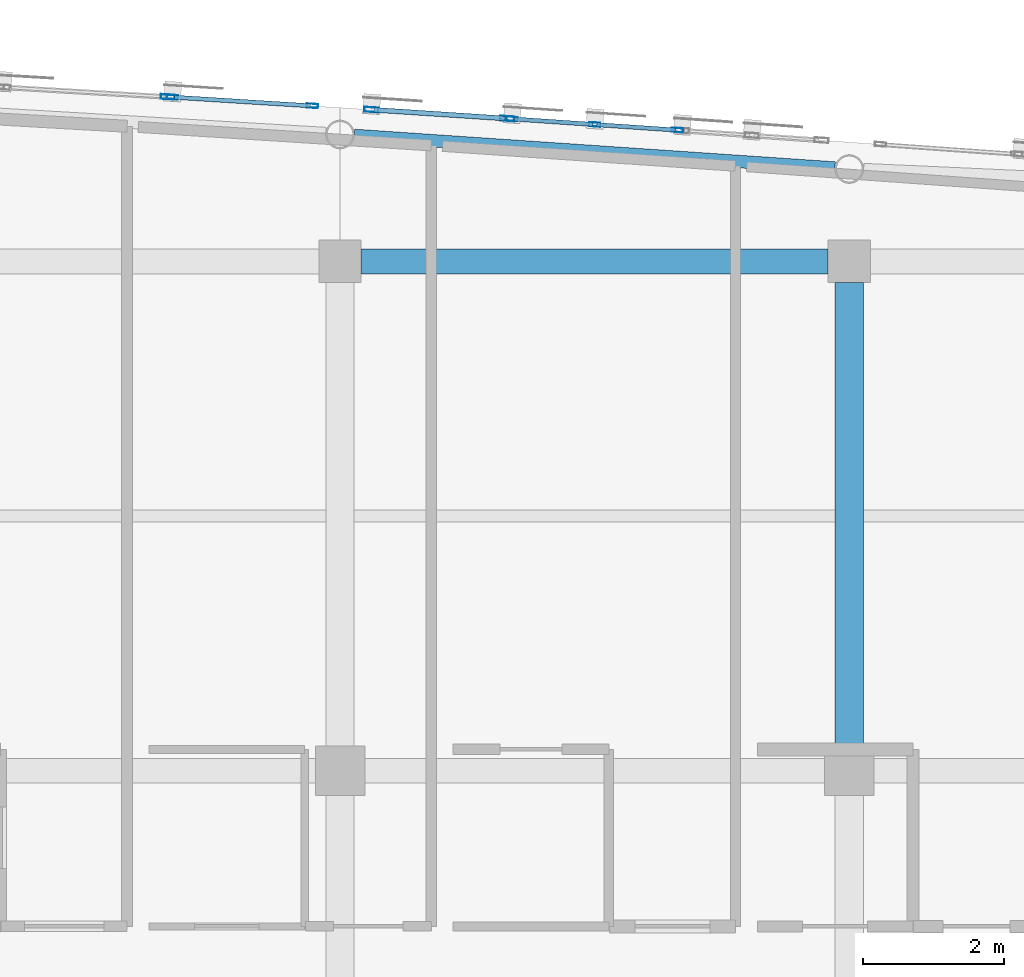
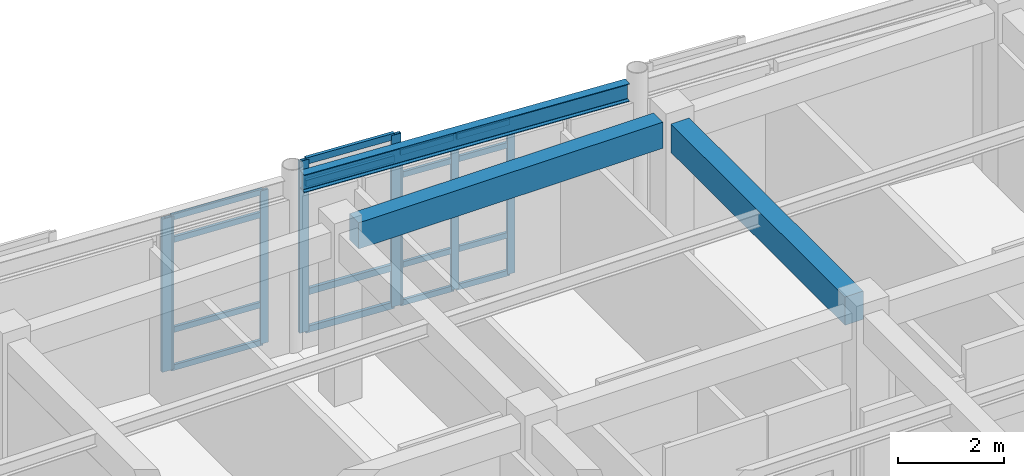
# One storey, part 54 of 113: 24 members, 3 beams, 4 elements without a shape of their own.
"""IFC4 building model written with IfcOpenShell, lengths in metres."""

from ifc_helpers import new_model, si_unit, direction, frame, origin, origin_2d, place, context, subcontext, project, spatial, rectangle, hollow_rectangle, i_section, extrude, material, layer, layer_set, material_profile, profile_set, type_object, element, aggregate, save


model = new_model("IFC4")

# Units and contexts
model_context = context("Model", 3, precision=1e-05, world=origin(), true_north=direction((0.0, 1.0)))
body_context = subcontext(model_context, "Body", "Model", "MODEL_VIEW")
ifc_project = project(units=[si_unit("LENGTHUNIT", "METRE"), si_unit("AREAUNIT", "SQUARE_METRE"), si_unit("VOLUMEUNIT", "CUBIC_METRE"), si_unit("PLANEANGLEUNIT", "RADIAN"), si_unit("MASSUNIT", "GRAM", prefix="KILO")], contexts=[model_context])

# Site, building, storey
site_placement = place(None, origin())
site = spatial("IfcSite", under=ifc_project, at=site_placement, CompositionType="ELEMENT")
building_placement = place(site_placement, origin())
building = spatial("IfcBuilding", under=site, at=building_placement, Name="Carrowvane Square Congress Hotel", CompositionType="ELEMENT")
storey_placement = place(building_placement, frame((0.0, 0.0, 15.0)))
storey = spatial("IfcBuildingStorey", under=building, at=storey_placement, Name="L03", CompositionType="ELEMENT", Elevation=15.0)

# Beams
ifc_material_1 = material(Name="Concrete C35/45", Category="concrete")
ifc_material_profile_1 = material_profile(ifc_material_1, rectangle(XDim=0.35009765625, YDim=0.60009765625, at=origin_2d()), Name="RC 350x600")
ifc_profile_set_1 = profile_set([ifc_material_profile_1], Name="Concrete C35/45")
beam_type_1 = type_object("IfcBeamType", Name="BM-RC-350x600", PredefinedType="BEAM", material=ifc_profile_set_1)
beam_1_placement = place(storey_placement, frame((127.10009765625, 113.39990234375, 3.639892578125), z_axis=(1.0, 0.0, 0.0), x_axis=(0.0, 1.0, 0.0)))
element("IfcBeam", 1, at=beam_1_placement, inside=storey, type_object=beam_type_1, Name="L04 girder R/17-18", PredefinedType="BEAM", context=body_context, shape_type="SweptSolid", body=[
    extrude(rectangle(XDim=0.35009765625, YDim=0.60009765625, at=origin_2d()), origin(), (0.0, 0.0, 1.0), 6.599853515625),
])
ifc_material_2 = material(Name="Concrete C35/45", Category="concrete")
ifc_material_profile_2 = material_profile(ifc_material_2, rectangle(XDim=0.39990234375, YDim=0.64990234375, at=origin_2d()), Name="RC 400x650")
ifc_profile_set_2 = profile_set([ifc_material_profile_2], Name="Concrete C35/45")
beam_type_2 = type_object("IfcBeamType", Name="BM-RC-400x650", PredefinedType="BEAM", material=ifc_profile_set_2)
beam_2_placement = place(storey_placement, frame((134.0, 106.550048828125, 3.614990234375), z_axis=(0.0, 1.0, 0.0), x_axis=(-1.0, 0.0, 0.0)))
element("IfcBeam", 2, at=beam_2_placement, inside=storey, type_object=beam_type_2, Name="L04 girder 18/Q-R", PredefinedType="BEAM", context=body_context, shape_type="SweptSolid", body=[
    extrude(rectangle(XDim=0.39990234375, YDim=0.64990234375, at=origin_2d()), origin(), (0.0, 0.0, 1.0), 6.550048828125),
])
ifc_material_3 = material(Name="Steel S355", Category="steel")
ifc_material_profile_3 = material_profile(ifc_material_3, i_section(OverallWidth=0.1787109375, OverallDepth=0.409423828125, WebThickness=0.0087890625, FlangeThickness=0.014404296875, FilletRadius=0.01025390625, at=origin_2d()), Name="UKB 406x178x67")
ifc_profile_set_3 = profile_set([ifc_material_profile_3], Name="Steel S355")
beam_type_3 = type_object("IfcBeamType", Name="BM-ST-UKB406", PredefinedType="BEAM", material=ifc_profile_set_3)
beam_3_placement = place(storey_placement, frame((127.002685546875, 115.1806640625, 3.7353515625), z_axis=(0.997706912919, -0.067682463857, 0.0), x_axis=(0.067682463857, 0.997706912919, 0.0)))
element("IfcBeam", 3, at=beam_3_placement, inside=storey, type_object=beam_type_3, Name="L04 curved north spandrel", PredefinedType="BEAM", context=body_context, shape_type="SweptSolid", body=[
    extrude(i_section(OverallWidth=0.1787109375, OverallDepth=0.409423828125, WebThickness=0.0087890625, FlangeThickness=0.014404296875, FilletRadius=0.01025390625, at=origin_2d()), origin(), (0.0, 0.0, 1.0), 6.810302734375),
])

# Curtain wall, members
ifc_material_4 = material(Name="Anodised aluminium", Category="aluminium")
ifc_layer_1 = layer(ifc_material_4, 0.2099609375)
ifc_layer_set_1 = layer_set([ifc_layer_1], Name="Anodised aluminium")
curtain_wall_type_1 = type_object("IfcCurtainWallType", Name="CW-SYS-5", PredefinedType="NOTDEFINED", material=ifc_layer_set_1)
curtain_wall_1_placement = place(storey_placement, origin())
curtain_wall_1 = element("IfcCurtainWall", 4, at=curtain_wall_1_placement, inside=storey, type_object=curtain_wall_type_1, Name="L03 unitised curtain wall 228", PredefinedType="NOTDEFINED")
ifc_material_5 = material(Name="Anodised aluminium", Category="aluminium")
ifc_material_profile_4 = material_profile(ifc_material_5, hollow_rectangle(XDim=0.06005859375, YDim=0.159912109375, WallThickness=0.00390625, at=origin_2d()), Name="CW-ML 60x160x4")
ifc_profile_set_4 = profile_set([ifc_material_profile_4], Name="Anodised aluminium")
member_type_1 = type_object("IfcMemberType", Name="CW-MUL-1", PredefinedType="MULLION", material=ifc_profile_set_4)
member_1_placement = place(storey_placement, frame((124.429931640625, 115.722412109375, 0.0), z_axis=(0.0, 0.0, 1.0), x_axis=(0.062397170272, 0.998051398046, 0.0)))
member_1 = element("IfcMember", 5, at=member_1_placement, type_object=member_type_1, Name="CW-5 mullion 1", PredefinedType="MULLION", context=body_context, shape_type="SweptSolid", body=[
    extrude(hollow_rectangle(XDim=0.06005859375, YDim=0.159912109375, WallThickness=0.00390625, at=origin_2d()), origin(), (0.0, 0.0, 1.0), 3.515625),
])
member_2_placement = place(storey_placement, frame((126.41015625, 115.5986328125, 0.0), z_axis=(0.0, 0.0, 1.0), x_axis=(0.062397170272, 0.998051398046, 0.0)))
member_2 = element("IfcMember", 6, at=member_2_placement, type_object=member_type_1, Name="CW-5 mullion 2", PredefinedType="MULLION", context=body_context, shape_type="SweptSolid", body=[
    extrude(hollow_rectangle(XDim=0.06005859375, YDim=0.159912109375, WallThickness=0.00390625, at=origin_2d()), origin(), (0.0, 0.0, 1.0), 3.515625),
])

ifc_material_6 = material(Name="Anodised aluminium", Category="aluminium")
ifc_layer_2 = layer(ifc_material_6, 0.23388671875)
ifc_layer_set_2 = layer_set([ifc_layer_2], Name="Anodised aluminium")
curtain_wall_type_2 = type_object("IfcCurtainWallType", Name="CW-SYS-7", PredefinedType="NOTDEFINED", material=ifc_layer_set_2)
curtain_wall_2_placement = place(storey_placement, origin())
curtain_wall_2 = element("IfcCurtainWall", 7, at=curtain_wall_2_placement, inside=storey, type_object=curtain_wall_type_2, Name="L03 unitised curtain wall 230", PredefinedType="NOTDEFINED")
member_3_placement = place(storey_placement, frame((129.22998046875, 115.4150390625, 0.0), z_axis=(0.0, 0.0, 1.0), x_axis=(0.067869562107, 0.99769420292, 0.0)))
member_3 = element("IfcMember", 8, at=member_3_placement, type_object=member_type_1, Name="CW-7 mullion 1", PredefinedType="MULLION", context=body_context, shape_type="SweptSolid", body=[
    extrude(hollow_rectangle(XDim=0.06005859375, YDim=0.159912109375, WallThickness=0.00390625, at=origin_2d()), origin(), (0.0, 0.0, 1.0), 3.515625),
])
member_4_placement = place(storey_placement, frame((130.39990234375, 115.33544921875, 0.0), z_axis=(0.0, 0.0, 1.0), x_axis=(0.067869562107, 0.99769420292, 0.0)))
member_4 = element("IfcMember", 9, at=member_4_placement, type_object=member_type_1, Name="CW-7 mullion 2", PredefinedType="MULLION", context=body_context, shape_type="SweptSolid", body=[
    extrude(hollow_rectangle(XDim=0.06005859375, YDim=0.159912109375, WallThickness=0.00390625, at=origin_2d()), origin(), (0.0, 0.0, 1.0), 3.515625),
])
member_5_placement = place(storey_placement, frame((131.570068359375, 115.255859375, 0.0), z_axis=(0.0, 0.0, 1.0), x_axis=(0.067869562107, 0.99769420292, 0.0)))
member_5 = element("IfcMember", 10, at=member_5_placement, type_object=member_type_1, Name="CW-7 mullion 3", PredefinedType="MULLION", context=body_context, shape_type="SweptSolid", body=[
    extrude(hollow_rectangle(XDim=0.06005859375, YDim=0.159912109375, WallThickness=0.00390625, at=origin_2d()), origin(), (0.0, 0.0, 1.0), 3.515625),
])

# Curtain wall, member
ifc_material_7 = material(Name="Anodised aluminium", Category="aluminium")
ifc_layer_3 = layer(ifc_material_7, 0.197998046875)
ifc_layer_set_3 = layer_set([ifc_layer_3], Name="Anodised aluminium")
curtain_wall_type_3 = type_object("IfcCurtainWallType", Name="CW-SYS-4", PredefinedType="NOTDEFINED", material=ifc_layer_set_3)
curtain_wall_3_placement = place(storey_placement, origin())
curtain_wall_3 = element("IfcCurtainWall", 11, at=curtain_wall_3_placement, inside=storey, type_object=curtain_wall_type_3, Name="L03 unitised curtain wall 227", PredefinedType="NOTDEFINED")
ifc_material_8 = material(Name="Anodised aluminium", Category="aluminium")
ifc_material_profile_5 = material_profile(ifc_material_8, hollow_rectangle(XDim=0.070068359375, YDim=0.199951171875, WallThickness=0.0048828125, at=origin_2d()), Name="CW-ML 70x200x5")
ifc_profile_set_5 = profile_set([ifc_material_profile_5], Name="Anodised aluminium")
member_type_2 = type_object("IfcMemberType", Name="CW-MUL-2", PredefinedType="MULLION", material=ifc_profile_set_5)
member_6_placement = place(storey_placement, frame((124.364990234375, 115.726318359375, 0.0), z_axis=(0.0, 0.0, 1.0), x_axis=(0.058851249486, 0.998266763162, 0.0)))
member_6 = element("IfcMember", 12, at=member_6_placement, type_object=member_type_2, Name="CW-4 mullion 2", PredefinedType="MULLION", context=body_context, shape_type="SweptSolid", body=[
    extrude(hollow_rectangle(XDim=0.070068359375, YDim=0.199951171875, WallThickness=0.0048828125, at=origin_2d()), origin(), (0.0, 0.0, 1.0), 3.515625),
])
aggregate(curtain_wall_3, [member_6])

# Curtain wall, members
ifc_material_9 = material(Name="Anodised aluminium", Category="aluminium")
ifc_layer_4 = layer(ifc_material_9, 0.221923828125)
ifc_layer_set_4 = layer_set([ifc_layer_4], Name="Anodised aluminium")
curtain_wall_type_4 = type_object("IfcCurtainWallType", Name="CW-SYS-6", PredefinedType="NOTDEFINED", material=ifc_layer_set_4)
curtain_wall_4_placement = place(storey_placement, origin())
curtain_wall_4 = element("IfcCurtainWall", 13, at=curtain_wall_4_placement, inside=storey, type_object=curtain_wall_type_4, Name="L03 unitised curtain wall 229", PredefinedType="NOTDEFINED")
member_7_placement = place(storey_placement, frame((127.243408203125, 115.545166015625, 0.0), z_axis=(0.0, 0.0, 1.0), x_axis=(0.065413941589, 0.9978582145, 0.0)))
member_7 = element("IfcMember", 14, at=member_7_placement, type_object=member_type_2, Name="CW-6 mullion 1", PredefinedType="MULLION", context=body_context, shape_type="SweptSolid", body=[
    extrude(hollow_rectangle(XDim=0.070068359375, YDim=0.199951171875, WallThickness=0.0048828125, at=origin_2d()), origin(), (0.0, 0.0, 1.0), 3.93994140625),
])
member_8_placement = place(storey_placement, frame((129.1650390625, 115.419189453125, 0.0), z_axis=(0.0, 0.0, 1.0), x_axis=(0.065413941589, 0.9978582145, 0.0)))
member_8 = element("IfcMember", 15, at=member_8_placement, type_object=member_type_2, Name="CW-6 mullion 2", PredefinedType="MULLION", context=body_context, shape_type="SweptSolid", body=[
    extrude(hollow_rectangle(XDim=0.070068359375, YDim=0.199951171875, WallThickness=0.0048828125, at=origin_2d()), origin(), (0.0, 0.0, 1.0), 3.93994140625),
])

# Member
ifc_material_10 = material(Name="Anodised aluminium", Category="aluminium")
ifc_material_profile_6 = material_profile(ifc_material_10, hollow_rectangle(XDim=0.06005859375, YDim=0.1298828125, WallThickness=0.00390625, at=origin_2d()), Name="CW-TR 60x130x4")
ifc_profile_set_6 = profile_set([ifc_material_profile_6], Name="Anodised aluminium")
member_type_3 = type_object("IfcMemberType", Name="CW-TRN-1", PredefinedType="USERDEFINED", material=ifc_profile_set_6)
member_9_placement = place(storey_placement, frame((124.4599609375, 115.720703125, 0.030029296875), z_axis=(0.998049120598, -0.062433587709, 0.0), x_axis=(0.062433587709, 0.998049120598, 0.0)))
member_9 = element("IfcMember", 16, at=member_9_placement, type_object=member_type_3, Name="CW-5 transom 1.1", ObjectType="TRANSOM", PredefinedType="USERDEFINED", context=body_context, shape_type="SweptSolid", body=[
    extrude(hollow_rectangle(XDim=0.06005859375, YDim=0.1298828125, WallThickness=0.00390625, at=origin_2d()), origin(), (0.0, 0.0, 1.0), 1.923828125),
])

member_10_placement = place(storey_placement, frame((124.4599609375, 115.720703125, 0.89990234375), z_axis=(0.998049120598, -0.062433587709, 0.0), x_axis=(0.062433587709, 0.998049120598, 0.0)))
member_10 = element("IfcMember", 17, at=member_10_placement, type_object=member_type_3, Name="CW-5 transom 1.2", ObjectType="TRANSOM", PredefinedType="USERDEFINED", context=body_context, shape_type="SweptSolid", body=[
    extrude(hollow_rectangle(XDim=0.06005859375, YDim=0.1298828125, WallThickness=0.00390625, at=origin_2d()), origin(), (0.0, 0.0, 1.0), 1.923828125),
])

member_11_placement = place(storey_placement, frame((124.4599609375, 115.720703125, 2.965576171875), z_axis=(0.998049120598, -0.062433587709, 0.0), x_axis=(0.062433587709, 0.998049120598, 0.0)))
member_11 = element("IfcMember", 18, at=member_11_placement, type_object=member_type_3, Name="CW-5 transom 1.3", ObjectType="TRANSOM", PredefinedType="USERDEFINED", context=body_context, shape_type="SweptSolid", body=[
    extrude(hollow_rectangle(XDim=0.06005859375, YDim=0.1298828125, WallThickness=0.00390625, at=origin_2d()), origin(), (0.0, 0.0, 1.0), 1.923828125),
])

member_12_placement = place(storey_placement, frame((124.4599609375, 115.720703125, 3.485595703125), z_axis=(0.998049120598, -0.062433587709, 0.0), x_axis=(0.062433587709, 0.998049120598, 0.0)))
member_12 = element("IfcMember", 19, at=member_12_placement, type_object=member_type_3, Name="CW-5 transom 1.4", ObjectType="TRANSOM", PredefinedType="USERDEFINED", context=body_context, shape_type="SweptSolid", body=[
    extrude(hollow_rectangle(XDim=0.06005859375, YDim=0.1298828125, WallThickness=0.00390625, at=origin_2d()), origin(), (0.0, 0.0, 1.0), 1.923828125),
])

aggregate(curtain_wall_1, [member_1, member_2, member_9, member_10, member_11, member_12])

member_13_placement = place(storey_placement, frame((129.259765625, 115.412841796875, 0.030029296875), z_axis=(0.997699905603, -0.067785679602, 0.0), x_axis=(0.067785679602, 0.997699905603, 0.0)))
member_13 = element("IfcMember", 20, at=member_13_placement, type_object=member_type_3, Name="CW-7 transom 1.1", ObjectType="TRANSOM", PredefinedType="USERDEFINED", context=body_context, shape_type="SweptSolid", body=[
    extrude(hollow_rectangle(XDim=0.06005859375, YDim=0.1298828125, WallThickness=0.00390625, at=origin_2d()), origin(), (0.0, 0.0, 1.0), 1.11279296875),
])

member_14_placement = place(storey_placement, frame((129.259765625, 115.412841796875, 0.89990234375), z_axis=(0.997699905603, -0.067785679602, 0.0), x_axis=(0.067785679602, 0.997699905603, 0.0)))
member_14 = element("IfcMember", 21, at=member_14_placement, type_object=member_type_3, Name="CW-7 transom 1.2", ObjectType="TRANSOM", PredefinedType="USERDEFINED", context=body_context, shape_type="SweptSolid", body=[
    extrude(hollow_rectangle(XDim=0.06005859375, YDim=0.1298828125, WallThickness=0.00390625, at=origin_2d()), origin(), (0.0, 0.0, 1.0), 1.11279296875),
])

member_15_placement = place(storey_placement, frame((129.259765625, 115.412841796875, 2.965576171875), z_axis=(0.997699905603, -0.067785679602, 0.0), x_axis=(0.067785679602, 0.997699905603, 0.0)))
member_15 = element("IfcMember", 22, at=member_15_placement, type_object=member_type_3, Name="CW-7 transom 1.3", ObjectType="TRANSOM", PredefinedType="USERDEFINED", context=body_context, shape_type="SweptSolid", body=[
    extrude(hollow_rectangle(XDim=0.06005859375, YDim=0.1298828125, WallThickness=0.00390625, at=origin_2d()), origin(), (0.0, 0.0, 1.0), 1.11279296875),
])

member_16_placement = place(storey_placement, frame((129.259765625, 115.412841796875, 3.485595703125), z_axis=(0.997699905603, -0.067785679602, 0.0), x_axis=(0.067785679602, 0.997699905603, 0.0)))
member_16 = element("IfcMember", 23, at=member_16_placement, type_object=member_type_3, Name="CW-7 transom 1.4", ObjectType="TRANSOM", PredefinedType="USERDEFINED", context=body_context, shape_type="SweptSolid", body=[
    extrude(hollow_rectangle(XDim=0.06005859375, YDim=0.1298828125, WallThickness=0.00390625, at=origin_2d()), origin(), (0.0, 0.0, 1.0), 1.11279296875),
])

member_17_placement = place(storey_placement, frame((130.429931640625, 115.333251953125, 0.030029296875), z_axis=(0.997698897284, -0.067800518861, 0.0), x_axis=(0.067800518861, 0.997698897284, 0.0)))
member_17 = element("IfcMember", 24, at=member_17_placement, type_object=member_type_3, Name="CW-7 transom 2.1", ObjectType="TRANSOM", PredefinedType="USERDEFINED", context=body_context, shape_type="SweptSolid", body=[
    extrude(hollow_rectangle(XDim=0.06005859375, YDim=0.1298828125, WallThickness=0.00390625, at=origin_2d()), origin(), (0.0, 0.0, 1.0), 1.112548828125),
])

member_18_placement = place(storey_placement, frame((130.429931640625, 115.333251953125, 0.89990234375), z_axis=(0.997698897284, -0.067800518861, 0.0), x_axis=(0.067800518861, 0.997698897284, 0.0)))
member_18 = element("IfcMember", 25, at=member_18_placement, type_object=member_type_3, Name="CW-7 transom 2.2", ObjectType="TRANSOM", PredefinedType="USERDEFINED", context=body_context, shape_type="SweptSolid", body=[
    extrude(hollow_rectangle(XDim=0.06005859375, YDim=0.1298828125, WallThickness=0.00390625, at=origin_2d()), origin(), (0.0, 0.0, 1.0), 1.112548828125),
])

member_19_placement = place(storey_placement, frame((130.429931640625, 115.333251953125, 2.965576171875), z_axis=(0.997698897284, -0.067800518861, 0.0), x_axis=(0.067800518861, 0.997698897284, 0.0)))
member_19 = element("IfcMember", 26, at=member_19_placement, type_object=member_type_3, Name="CW-7 transom 2.3", ObjectType="TRANSOM", PredefinedType="USERDEFINED", context=body_context, shape_type="SweptSolid", body=[
    extrude(hollow_rectangle(XDim=0.06005859375, YDim=0.1298828125, WallThickness=0.00390625, at=origin_2d()), origin(), (0.0, 0.0, 1.0), 1.112548828125),
])

member_20_placement = place(storey_placement, frame((130.429931640625, 115.333251953125, 3.485595703125), z_axis=(0.997698897284, -0.067800518861, 0.0), x_axis=(0.067800518861, 0.997698897284, 0.0)))
member_20 = element("IfcMember", 27, at=member_20_placement, type_object=member_type_3, Name="CW-7 transom 2.4", ObjectType="TRANSOM", PredefinedType="USERDEFINED", context=body_context, shape_type="SweptSolid", body=[
    extrude(hollow_rectangle(XDim=0.06005859375, YDim=0.1298828125, WallThickness=0.00390625, at=origin_2d()), origin(), (0.0, 0.0, 1.0), 1.112548828125),
])

aggregate(curtain_wall_2, [member_3, member_4, member_5, member_13, member_14, member_15, member_16, member_17, member_18, member_19, member_20])

ifc_material_11 = material(Name="Anodised aluminium", Category="aluminium")
ifc_material_profile_7 = material_profile(ifc_material_11, hollow_rectangle(XDim=0.070068359375, YDim=0.14990234375, WallThickness=0.0048828125, at=origin_2d()), Name="CW-TR 70x150x5")
ifc_profile_set_7 = profile_set([ifc_material_profile_7], Name="Anodised aluminium")
member_type_4 = type_object("IfcMemberType", Name="CW-TRN-2", PredefinedType="USERDEFINED", material=ifc_profile_set_7)
member_21_placement = place(storey_placement, frame((127.2783203125, 115.54296875, 0.034912109375), z_axis=(0.997860186588, -0.065383851382, 0.0), x_axis=(0.065383851382, 0.997860186588, 0.0)))
member_21 = element("IfcMember", 28, at=member_21_placement, type_object=member_type_4, Name="CW-6 transom 1.1", ObjectType="TRANSOM", PredefinedType="USERDEFINED", context=body_context, shape_type="SweptSolid", body=[
    extrude(hollow_rectangle(XDim=0.070068359375, YDim=0.14990234375, WallThickness=0.0048828125, at=origin_2d()), origin(), (0.0, 0.0, 1.0), 1.855712890625),
])

member_22_placement = place(storey_placement, frame((127.2783203125, 115.54296875, 0.89990234375), z_axis=(0.997860186588, -0.065383851382, 0.0), x_axis=(0.065383851382, 0.997860186588, 0.0)))
member_22 = element("IfcMember", 29, at=member_22_placement, type_object=member_type_4, Name="CW-6 transom 1.2", ObjectType="TRANSOM", PredefinedType="USERDEFINED", context=body_context, shape_type="SweptSolid", body=[
    extrude(hollow_rectangle(XDim=0.070068359375, YDim=0.14990234375, WallThickness=0.0048828125, at=origin_2d()), origin(), (0.0, 0.0, 1.0), 1.855712890625),
])

member_23_placement = place(storey_placement, frame((127.2783203125, 115.54296875, 3.389892578125), z_axis=(0.997860186588, -0.065383851382, 0.0), x_axis=(0.065383851382, 0.997860186588, 0.0)))
member_23 = element("IfcMember", 30, at=member_23_placement, type_object=member_type_4, Name="CW-6 transom 1.3", ObjectType="TRANSOM", PredefinedType="USERDEFINED", context=body_context, shape_type="SweptSolid", body=[
    extrude(hollow_rectangle(XDim=0.070068359375, YDim=0.14990234375, WallThickness=0.0048828125, at=origin_2d()), origin(), (0.0, 0.0, 1.0), 1.855712890625),
])

member_24_placement = place(storey_placement, frame((127.2783203125, 115.54296875, 3.905029296875), z_axis=(0.997860186588, -0.065383851382, 0.0), x_axis=(0.065383851382, 0.997860186588, 0.0)))
member_24 = element("IfcMember", 31, at=member_24_placement, type_object=member_type_4, Name="CW-6 transom 1.4", ObjectType="TRANSOM", PredefinedType="USERDEFINED", context=body_context, shape_type="SweptSolid", body=[
    extrude(hollow_rectangle(XDim=0.070068359375, YDim=0.14990234375, WallThickness=0.0048828125, at=origin_2d()), origin(), (0.0, 0.0, 1.0), 1.855712890625),
])

aggregate(curtain_wall_4, [member_7, member_8, member_21, member_22, member_23, member_24])

save(model, "model.ifc")
